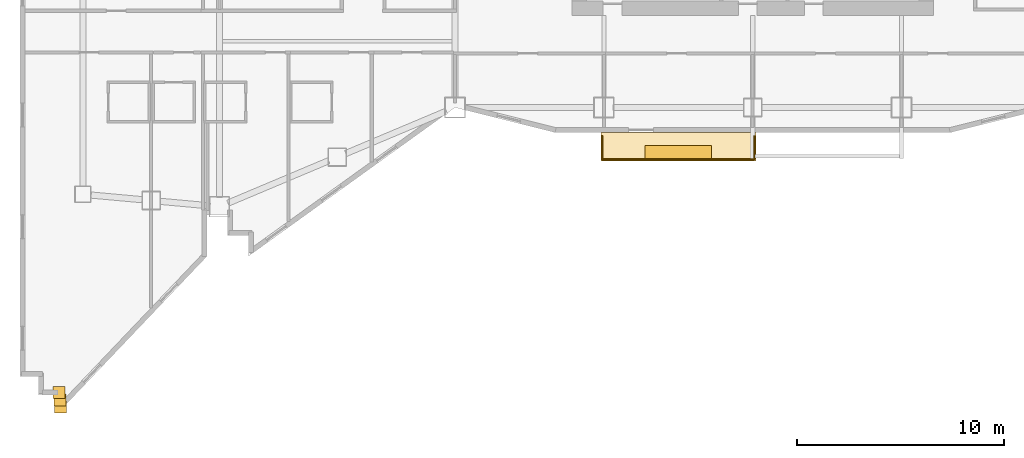
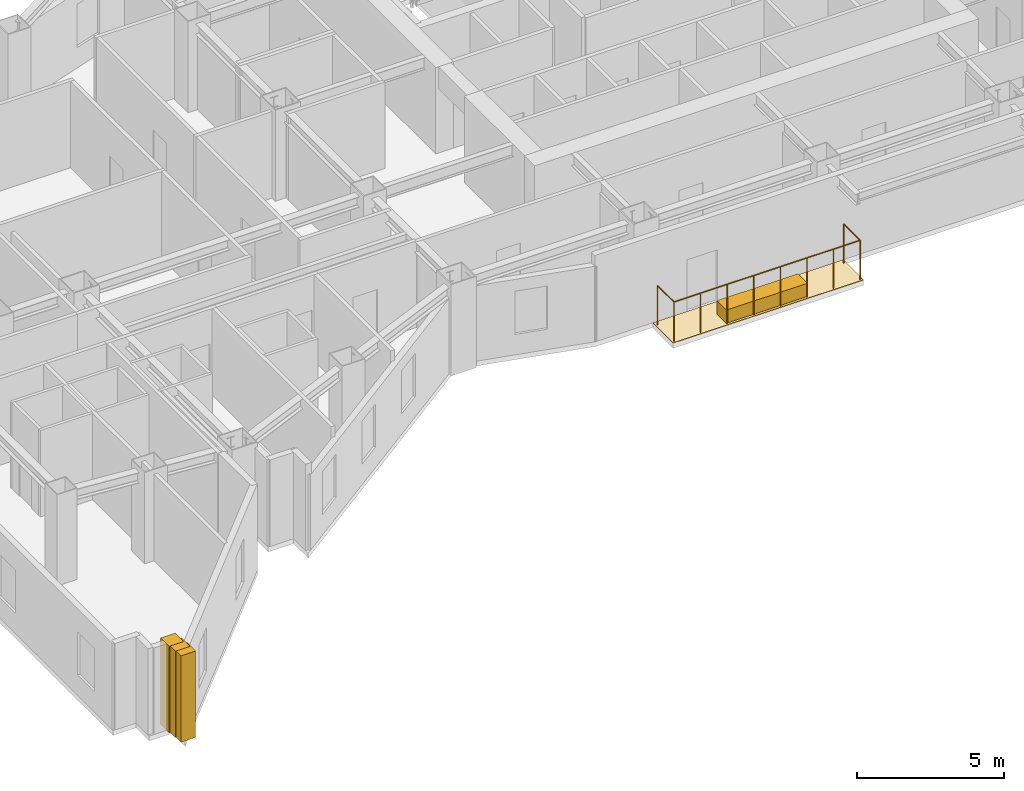
# One storey, part 11 of 13: 5 coverings, 2 railings.
"""IFC4 building model written with IfcOpenShell, lengths in metres."""

from ifc_helpers import new_model, si_unit, direction, frame, origin, origin_2d, place, context, subcontext, project, spatial, polyline, rectangle, circle, outline, extrude, material, layer, layer_set, type_object, element, save


model = new_model("IFC4")

# Units and contexts
model_context = context("Model", 3, precision=1e-05, world=origin(), true_north=direction((0.0, 1.0)))
body_context = subcontext(model_context, "Body", "Model", "MODEL_VIEW")
ifc_project = project(units=[si_unit("LENGTHUNIT", "METRE"), si_unit("AREAUNIT", "SQUARE_METRE"), si_unit("VOLUMEUNIT", "CUBIC_METRE"), si_unit("PLANEANGLEUNIT", "RADIAN"), si_unit("MASSUNIT", "GRAM", prefix="KILO")], contexts=[model_context])

# Site, building, storey
site_placement = place(None, origin())
site = spatial("IfcSite", under=ifc_project, at=site_placement, CompositionType="ELEMENT")
building_placement = place(site_placement, origin())
building = spatial("IfcBuilding", under=site, at=building_placement, Name="Haolan Belvedere Tower", CompositionType="ELEMENT")
storey_placement = place(building_placement, frame((0.0, 0.0, 102.199951171875)))
storey = spatial("IfcBuildingStorey", under=building, at=storey_placement, Name="L25", CompositionType="ELEMENT", Elevation=102.199951171875)

# Coverings
ifc_material_1 = material(Name="Pale champagne-silver anodised aluminium rainscreen cladding", Category="aluminium")
ifc_layer_1 = layer(ifc_material_1, 0.034912109375, Name="Pale champagne-silver anodised aluminium rainscreen cladding")
ifc_layer_set_1 = layer_set([ifc_layer_1], Name="Pale champagne-silver anodised aluminium rainscreen cladding")
covering_type_1 = type_object("IfcCoveringType", Name="COV-CLAD-35", PredefinedType="CLADDING", material=ifc_layer_set_1)
for number, where, z_axis, x_axis, name in (
    (1, (4.83740234375, 7.81201171875, 0.0), (0.0, 0.0, 1.0), (1.0, 0.0, 0.0), "L25 pale-metal serrated corner cladding trim 1"),
    (2, (4.8798828125, 7.4521484375, 0.0), (0.0, 0.0, 1.0), (1.0, 0.0, 0.0), "L25 pale-metal serrated corner cladding trim 2"),
    (3, (4.9091796875, 7.123046875, 0.0), (0.0, 0.0, 1.0), (1.0, 0.0, 0.0), "L25 pale-metal serrated corner cladding trim 3"),
):
    element("IfcCovering", number, at=place(storey_placement, frame(where, z_axis=z_axis, x_axis=x_axis)), inside=storey, type_object=covering_type_1, Name=name, PredefinedType="CLADDING", context=body_context, shape_type="SweptSolid", body=[
        extrude(rectangle(XDim=0.580078125, YDim=0.580078125, at=origin_2d()), origin(), (0.0, 0.0, 1.0), 3.60009765625),
    ])
ifc_material_2 = material(Name="Engineered lightweight planted garden soil substrate", Category="masonry")
ifc_layer_2 = layer(ifc_material_2, 0.550048828125, Name="Engineered lightweight planted garden soil substrate")
ifc_layer_set_2 = layer_set([ifc_layer_2], Name="Engineered lightweight planted garden soil substrate")
covering_type_2 = type_object("IfcCoveringType", Name="COV-PLANT-550", PredefinedType="MEMBRANE", material=ifc_layer_set_2)
covering_1_placement = place(storey_placement, frame((34.800048828125, 19.43994140625, 0.0), z_axis=(0.0, 0.0, 1.0), x_axis=(1.0, 0.0, 0.0)))
element("IfcCovering", 4, at=covering_1_placement, inside=storey, type_object=covering_type_2, Name="L25 structural tree balcony PLANTER box 1", PredefinedType="MEMBRANE", context=body_context, shape_type="SweptSolid", body=[
    extrude(rectangle(XDim=3.199951171875, YDim=0.64990234375, at=origin_2d()), origin(), (0.0, 0.0, 1.0), 0.550048828125),
])
ifc_material_3 = material(Name="Elastomeric waterproof roofing membrane and stone pavers", Category="masonry")
ifc_layer_3 = layer(ifc_material_3, 0.02001953125, Name="Elastomeric waterproof roofing membrane and stone pavers")
ifc_layer_set_3 = layer_set([ifc_layer_3], Name="Elastomeric waterproof roofing membrane and stone pavers")
covering_type_3 = type_object("IfcCoveringType", Name="COV-ROOF-20", PredefinedType="ROOFING", material=ifc_layer_set_3)
covering_2_placement = place(storey_placement, frame((0.0, 0.0, -0.02001953125)))
element("IfcCovering", 5, at=covering_2_placement, inside=storey, type_object=covering_type_3, Name="L25 tree-balcony waterproof membrane 1", PredefinedType="ROOFING", context=body_context, shape_type="SweptSolid", body=[
    extrude(outline(polyline([(31.050048828125, 19.02001953125), (38.550048828125, 19.02001953125), (38.550048828125, 20.39990234375), (31.050048828125, 20.39990234375), (31.050048828125, 19.02001953125)])), origin(), (0.0, 0.0, 1.0), 0.02001953125),
])

# Railings
ifc_material_4 = material(Name="Anodised aluminium and laminated glass balustrade", Category="aluminium")
railing_type = type_object("IfcRailingType", Name="RL-TER-BAL-1150", PredefinedType="BALUSTRADE", material=ifc_material_4)
railing_1_placement = place(storey_placement, frame((31.1298828125, 19.10009765625, 0.0)))
element("IfcRailing", 6, at=railing_1_placement, inside=storey, type_object=railing_type, Name="L25 outdoor perimeter balustrade BAL-L25-1-1", PredefinedType="BALUSTRADE", context=body_context, shape_type="SweptSolid", body=[
    extrude(circle(Radius=0.02392578125, at=origin_2d()), frame((0.0, 0.0, 1.6259765625), z_axis=(0.0, 1.0, 0.0), x_axis=(-1.0, 0.0, 0.0)), (0.0, 0.0, 1.0), 1.119873046875),
    extrude(circle(Radius=0.02099609375, at=origin_2d()), origin(), (0.0, 0.0, 1.0), 1.601806640625),
    extrude(circle(Radius=0.02099609375, at=origin_2d()), frame((0.0, 1.119873046875, 0.0)), (0.0, 0.0, 1.0), 1.601806640625),
])
railing_2_placement = place(storey_placement, frame((38.469970703125, 20.219970703125, 0.0)))
element("IfcRailing", 7, at=railing_2_placement, inside=storey, type_object=railing_type, Name="L25 outdoor perimeter balustrade BAL-L25-1-2", PredefinedType="BALUSTRADE", context=body_context, shape_type="SweptSolid", body=[
    extrude(circle(Radius=0.02392578125, at=origin_2d()), frame((0.0, 0.0, 1.6259765625), z_axis=(0.0, -1.0, 0.0), x_axis=(1.0, 0.0, 0.0)), (0.0, 0.0, 1.0), 1.119873046875),
    extrude(circle(Radius=0.02392578125, at=origin_2d()), frame((0.0, -1.119873046875, 1.6259765625), z_axis=(-1.0, 0.0, 0.0), x_axis=(0.0, -1.0, 0.0)), (0.0, 0.0, 1.0), 7.340087890625),
    extrude(circle(Radius=0.02099609375, at=origin_2d()), origin(), (0.0, 0.0, 1.0), 1.601806640625),
    extrude(circle(Radius=0.02099609375, at=origin_2d()), frame((0.0, -1.119873046875, 0.0)), (0.0, 0.0, 1.0), 1.601806640625),
    extrude(circle(Radius=0.02099609375, at=origin_2d()), frame((-1.048583984375, -1.119873046875, 0.0)), (0.0, 0.0, 1.0), 1.601806640625),
    extrude(circle(Radius=0.02099609375, at=origin_2d()), frame((-2.09716796875, -1.119873046875, 0.0)), (0.0, 0.0, 1.0), 1.601806640625),
    extrude(circle(Radius=0.02099609375, at=origin_2d()), frame((-3.145751953125, -1.119873046875, 0.0)), (0.0, 0.0, 1.0), 1.601806640625),
    extrude(circle(Radius=0.02099609375, at=origin_2d()), frame((-4.1943359375, -1.119873046875, 0.0)), (0.0, 0.0, 1.0), 1.601806640625),
    extrude(circle(Radius=0.02099609375, at=origin_2d()), frame((-5.242919921875, -1.119873046875, 0.0)), (0.0, 0.0, 1.0), 1.601806640625),
    extrude(circle(Radius=0.02099609375, at=origin_2d()), frame((-6.29150390625, -1.119873046875, 0.0)), (0.0, 0.0, 1.0), 1.601806640625),
    extrude(circle(Radius=0.02099609375, at=origin_2d()), frame((-7.340087890625, -1.119873046875, 0.0)), (0.0, 0.0, 1.0), 1.601806640625),
])

save(model, "model.ifc")
